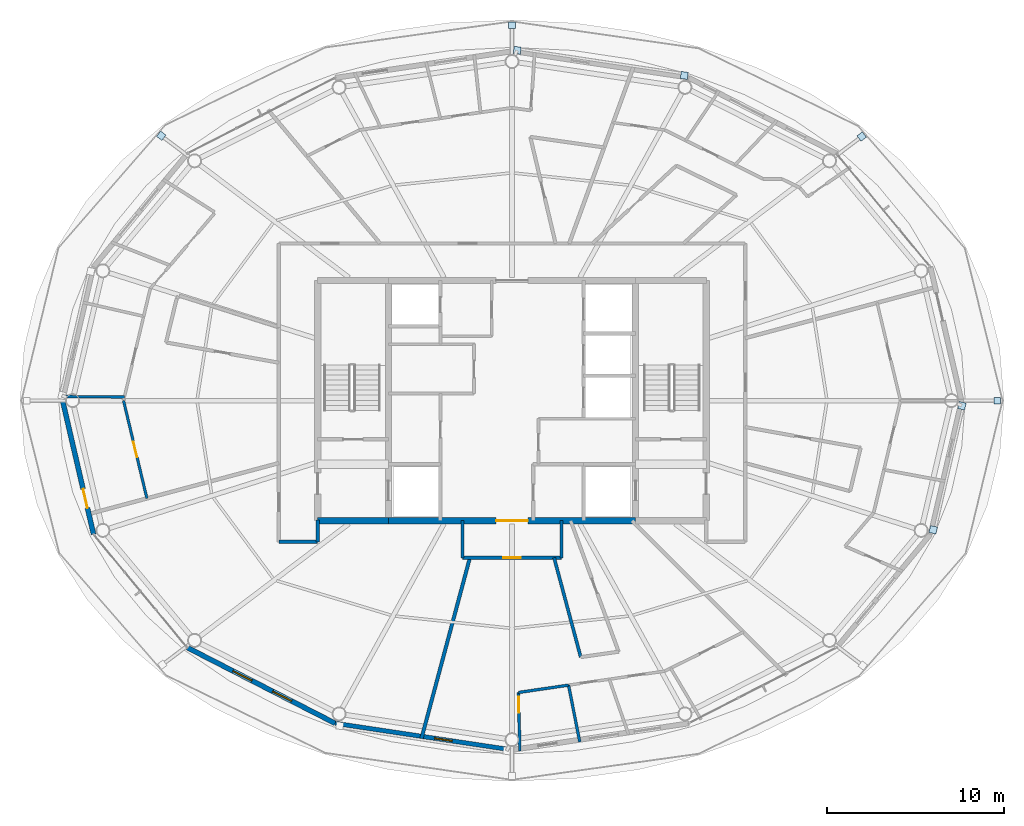
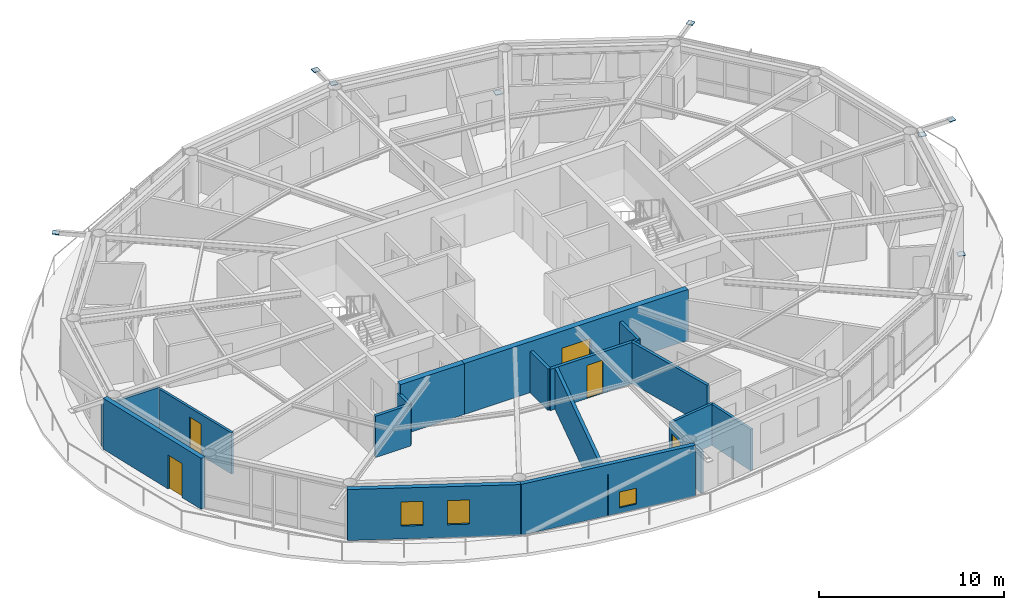
# One storey, part 15 of 23: 17 walls, 8 plates, 5 doors, 3 windows, 8 openings.
"""IFC4 building model written with IfcOpenShell, lengths in metres."""

from ifc_helpers import new_model, si_unit, direction, frame, frame_2d, origin, origin_2d, place, context, subcontext, project, spatial, rectangle, extrude, material, layer, layer_set, type_object, element, fill, save


model = new_model("IFC4")

# Units and contexts
model_context = context("Model", 3, precision=1e-05, world=origin(), true_north=direction((0.0, 1.0)))
body_context = subcontext(model_context, "Body", "Model", "MODEL_VIEW")
ifc_project = project(units=[si_unit("LENGTHUNIT", "METRE"), si_unit("AREAUNIT", "SQUARE_METRE"), si_unit("VOLUMEUNIT", "CUBIC_METRE"), si_unit("PLANEANGLEUNIT", "RADIAN"), si_unit("MASSUNIT", "GRAM", prefix="KILO")], contexts=[model_context])

# Site, building, storey
site_placement = place(None, origin())
site = spatial("IfcSite", under=ifc_project, at=site_placement, CompositionType="ELEMENT")
building_placement = place(site_placement, origin())
building = spatial("IfcBuilding", under=site, at=building_placement, Name="Sarneth Arch Tower", CompositionType="ELEMENT")
storey_placement = place(building_placement, frame((0.0, 0.0, 265.800048828125)))
storey = spatial("IfcBuildingStorey", under=building, at=storey_placement, Name="L68", CompositionType="ELEMENT", Elevation=265.800048828125)

# Plates
ifc_material_1 = material(Name="Steel S355", Category="steel")
ifc_layer_1 = layer(ifc_material_1, 0.035888671875)
ifc_layer_set_1 = layer_set([ifc_layer_1], Name="Steel S355")
plate_type = type_object("IfcPlateType", Name="PLT-GUSSET-30", PredefinedType="SHEET", material=ifc_layer_set_1)
for number, where, z_axis, x_axis, name in (
    (1, (75.48046875, 42.0, 3.19189453125), (0.0, 0.0, 1.0), (1.0, 0.0, 0.0), "Steel end cap plate GP-1"),
    (2, (67.800048828125, 56.95458984375, 3.19189453125), (0.0, 0.0, 1.0), (0.798004853043, 0.602651022168, 0.0), "Steel end cap plate GP-1"),
):
    element("IfcPlate", number, at=place(storey_placement, frame(where, z_axis=z_axis, x_axis=x_axis)), inside=storey, type_object=plate_type, Name=name, PredefinedType="SHEET", context=body_context, shape_type="SweptSolid", body=[
        extrude(rectangle(XDim=0.3798828125, YDim=0.3798828125, at=origin_2d()), origin(), (0.0, 0.0, 1.0), 0.035888671875),
    ])
for number, where, z_axis, x_axis, name in (
    (3, (57.754150390625, 60.411376953125, 0.001953125), (0.0, 0.0, 1.0), (-0.988860535448, 0.148845024885, 0.0), "Steel end cap plate GP-1"),
    (4, (48.296630859375, 61.83544921875, 3.07421875), (0.0, 0.0, 1.0), (-0.988860535448, 0.148845024885, 0.0), "Steel end cap plate GP-1"),
):
    element("IfcPlate", number, at=place(storey_placement, frame(where, z_axis=z_axis, x_axis=x_axis)), inside=storey, type_object=plate_type, Name=name, PredefinedType="SHEET", context=body_context, shape_type="SweptSolid", body=[
        extrude(rectangle(XDim=0.404052734375, YDim=0.404052734375, at=origin_2d()), origin(), (0.0, 0.0, 1.0), 0.035888671875),
    ])
for number, where, z_axis, x_axis, name in (
    (5, (48.0, 63.252685546875, 3.19189453125), (0.0, 0.0, 1.0), (0.0, 1.0, 0.0), "Steel end cap plate GP-1"),
    (6, (28.138916015625, 57.000732421875, 3.19189453125), (0.0, 0.0, 1.0), (-0.798004853043, 0.602651022168, 0.0), "Steel end cap plate GP-1"),
):
    element("IfcPlate", number, at=place(storey_placement, frame(where, z_axis=z_axis, x_axis=x_axis)), inside=storey, type_object=plate_type, Name=name, PredefinedType="SHEET", context=body_context, shape_type="SweptSolid", body=[
        extrude(rectangle(XDim=0.3798828125, YDim=0.3798828125, at=origin_2d()), origin(), (0.0, 0.0, 1.0), 0.035888671875),
    ])
for number, where, z_axis, x_axis, name in (
    (7, (71.851806640625, 34.6845703125, 0.001953125), (0.0, 0.0, 1.0), (0.225461202458, 0.974252147129, 0.0), "Steel end cap plate GP-1"),
    (8, (73.4765625, 41.707763671875, 3.07421875), (0.0, 0.0, 1.0), (0.225461202458, 0.974252147129, 0.0), "Steel end cap plate GP-1"),
):
    element("IfcPlate", number, at=place(storey_placement, frame(where, z_axis=z_axis, x_axis=x_axis)), inside=storey, type_object=plate_type, Name=name, PredefinedType="SHEET", context=body_context, shape_type="SweptSolid", body=[
        extrude(rectangle(XDim=0.404052734375, YDim=0.404052734375, at=origin_2d()), origin(), (0.0, 0.0, 1.0), 0.035888671875),
    ])

# Wall
ifc_material_2 = material(Name="Concrete C50/60", Category="concrete")
ifc_layer_2 = layer(ifc_material_2, 0.35009765625)
ifc_layer_set_2 = layer_set([ifc_layer_2], Name="Concrete C50/60")
wall_type_1 = type_object("IfcWallType", Name="WALL-CORE-350", PredefinedType="SHEAR", material=ifc_layer_set_2)
wall_1_placement = place(storey_placement, frame((37.0, 35.199951171875, 0.0), z_axis=(0.0, 0.0, 1.0), x_axis=(1.0, 0.0, 0.0)))
element("IfcWall", 9, at=wall_1_placement, inside=storey, type_object=wall_type_1, Name="L68 Core shear wall S-W", PredefinedType="SHEAR", context=body_context, shape_type="SweptSolid", body=[
    extrude(rectangle(XDim=4.0, YDim=0.35009765625, at=frame_2d((2.0, 0.0))), origin(), (0.0, 0.0, 1.0), 3.369873046875),
])

# Wall, opening, door
wall_2_placement = place(storey_placement, frame((41.0, 35.199951171875, 0.0), z_axis=(0.0, 0.0, 1.0), x_axis=(1.0, 0.0, 0.0)))
wall_2 = element("IfcWall", 10, at=wall_2_placement, inside=storey, type_object=wall_type_1, Name="L68 Core shear wall S-M", PredefinedType="SHEAR", context=body_context, shape_type="SweptSolid", body=[
    extrude(rectangle(XDim=14.0, YDim=0.35009765625, at=frame_2d((7.0, 0.0))), origin(), (0.0, 0.0, 1.0), 3.369873046875),
])
opening_1_placement = place(wall_2_placement, frame((6.10009765625, 0.0, 0.0)))
opening_1 = element("IfcOpeningElement", 11, at=opening_1_placement, cuts=wall_2, Name="Opening FD-01", PredefinedType="OPENING", context=body_context, shape_type="SweptSolid", body=[
    extrude(rectangle(XDim=1.800048828125, YDim=2.25, at=frame_2d((0.89990234375, 1.125))), frame((0.0, 0.18505859375, 0.0), z_axis=(0.0, -1.0, 0.0), x_axis=(1.0, 0.0, 0.0)), (0.0, 0.0, 1.0), 0.3701171875),
])
ifc_material_3 = material(Name="Galvanised Steel S275 fire door set", Category="steel")
door_type_1 = type_object("IfcDoorType", Name="DR-FD90-1800", OperationType="DOUBLE_DOOR_SINGLE_SWING", PredefinedType="DOOR", material=ifc_material_3)
door_1_placement = place(opening_1_placement, origin())
door_1 = element("IfcDoor", 12, at=door_1_placement, inside=storey, type_object=door_type_1, Name="L68 Central lift lobby south door", OperationType="DOUBLE_DOOR_SINGLE_SWING", OverallHeight=2.25, OverallWidth=1.800048828125, PredefinedType="DOOR", context=body_context, shape_type="SweptSolid", body=[
    extrude(rectangle(XDim=1.800048828125, YDim=2.25, at=frame_2d((0.89990234375, 1.125))), frame((0.0, 0.02490234375, 0.0), z_axis=(0.0, -1.0, 0.0), x_axis=(1.0, 0.0, 0.0)), (0.0, 0.0, 1.0), 0.050048828125),
])
fill(opening_1, door_1)

ifc_material_4 = material(Name="Double steel-stud corridor fire wall", Category="steel")
ifc_layer_3 = layer(ifc_material_4, 0.18994140625)
ifc_layer_set_3 = layer_set([ifc_layer_3], Name="Double steel-stud corridor fire wall")
wall_type_2 = type_object("IfcWallType", Name="WALL-CORR-190", PredefinedType="PARTITIONING", material=ifc_layer_set_3)
wall_3_placement = place(storey_placement, frame((50.800048828125, 33.10009765625, 0.0), z_axis=(0.0, 0.0, 1.0), x_axis=(-1.0, 0.0, 0.0)))
wall_3 = element("IfcWall", 13, at=wall_3_placement, inside=storey, type_object=wall_type_2, Name="L68 Interior partition W-L68-TP-021", PredefinedType="PARTITIONING", context=body_context, shape_type="SweptSolid", body=[
    extrude(rectangle(XDim=5.60009765625, YDim=0.18994140625, at=frame_2d((2.800048828125, 0.0))), origin(), (0.0, 0.0, 1.0), 2.72998046875),
])
opening_2_placement = place(wall_3_placement, frame((2.300048828125, 0.0, 0.0)))
opening_2 = element("IfcOpeningElement", 14, at=opening_2_placement, cuts=wall_3, Name="Opening FD-08", PredefinedType="OPENING", context=body_context, shape_type="SweptSolid", body=[
    extrude(rectangle(XDim=1.0, YDim=2.199951171875, at=frame_2d((0.5, 1.10009765625))), frame((0.0, 0.10498046875, 0.0), z_axis=(0.0, -1.0, 0.0), x_axis=(1.0, 0.0, 0.0)), (0.0, 0.0, 1.0), 0.2099609375),
])
ifc_material_5 = material(Name="Hardwood timber acoustic fire door", Category="wood")
door_type_2 = type_object("IfcDoorType", Name="DR-FD60-1000", OperationType="SINGLE_SWING_LEFT", PredefinedType="DOOR", material=ifc_material_5)
door_2_placement = place(opening_2_placement, origin())
door_2 = element("IfcDoor", 15, at=door_2_placement, inside=storey, type_object=door_type_2, Name="L68 Interior door DR-L68-U5-ENT", OperationType="SINGLE_SWING_LEFT", OverallHeight=2.199951171875, OverallWidth=1.0, PredefinedType="DOOR", context=body_context, shape_type="SweptSolid", body=[
    extrude(rectangle(XDim=1.0, YDim=2.199951171875, at=frame_2d((0.5, 1.10009765625))), frame((0.0, 0.02490234375, 0.0), z_axis=(0.0, -1.0, 0.0), x_axis=(1.0, 0.0, 0.0)), (0.0, 0.0, 1.0), 0.050048828125),
])
fill(opening_2, door_2)

# Walls
wall_4_placement = place(storey_placement, frame((37.0, 34.0, 0.0), z_axis=(0.0, 0.0, 1.0), x_axis=(-1.0, 0.0, 0.0)))
element("IfcWall", 16, at=wall_4_placement, inside=storey, type_object=wall_type_2, Name="L68 Interior partition W-L68-TP-012", PredefinedType="PARTITIONING", context=body_context, shape_type="SweptSolid", body=[
    extrude(rectangle(XDim=2.199951171875, YDim=0.18994140625, at=frame_2d((1.10009765625, 0.0))), origin(), (0.0, 0.0, 1.0), 2.72998046875),
])
wall_5_placement = place(storey_placement, frame((45.199951171875, 35.199951171875, 0.0), z_axis=(0.0, 0.0, 1.0), x_axis=(0.0, -1.0, 0.0)))
element("IfcWall", 17, at=wall_5_placement, inside=storey, type_object=wall_type_2, Name="L68 Interior partition W-L68-TP-019", PredefinedType="PARTITIONING", context=body_context, shape_type="SweptSolid", body=[
    extrude(rectangle(XDim=2.099853515625, YDim=0.18994140625, at=frame_2d((1.0498046875, 0.0))), origin(), (0.0, 0.0, 1.0), 2.72998046875),
])
wall_6_placement = place(storey_placement, frame((37.0, 35.23193359375, 0.0), z_axis=(0.0, 0.0, 1.0), x_axis=(0.0, -1.0, 0.0)))
element("IfcWall", 18, at=wall_6_placement, inside=storey, type_object=wall_type_2, Name="L68 Interior partition W-L68-TP-011", PredefinedType="PARTITIONING", context=body_context, shape_type="SweptSolid", body=[
    extrude(rectangle(XDim=1.23193359375, YDim=0.18994140625, at=frame_2d((0.615966796875, 0.0))), origin(), (0.0, 0.0, 1.0), 2.72998046875),
])

# Wall, opening, window
ifc_material_6 = material(Name="Extruded terracotta rainscreen on Concrete C40/50 backing", Category="masonry")
ifc_layer_4 = layer(ifc_material_6, 0.25)
ifc_layer_set_4 = layer_set([ifc_layer_4], Name="Extruded terracotta rainscreen on Concrete C40/50 backing")
wall_type_3 = type_object("IfcWallType", Name="WALL-EXT-SPAND-250", PredefinedType="SOLIDWALL", material=ifc_layer_set_4)
wall_7_placement = place(storey_placement, frame((37.9873046875, 23.7255859375, 0.0), z_axis=(0.0, 0.0, 1.0), x_axis=(0.988882522213, -0.148698881169, 0.0)))
wall_7 = element("IfcWall", 19, at=wall_7_placement, inside=storey, type_object=wall_type_3, Name="L68 Terracotta perimeter wall 12", PredefinedType="SOLIDWALL", context=body_context, shape_type="SweptSolid", body=[
    extrude(rectangle(XDim=10.125244140625, YDim=0.25, at=frame_2d((5.0625, 0.0))), origin(), (0.0, 0.0, 1.0), 3.369873046875),
])
opening_3_placement = place(wall_7_placement, frame((5.69189453125, 0.0, 0.35009765625)))
opening_3 = element("IfcOpeningElement", 20, at=opening_3_placement, cuts=wall_7, Name="Opening W-14", PredefinedType="OPENING", context=body_context, shape_type="SweptSolid", body=[
    extrude(rectangle(XDim=1.0, YDim=1.050048828125, at=frame_2d((0.5, 0.52490234375))), frame((0.0, 0.135009765625, 0.0), z_axis=(0.0, -1.0, 0.0), x_axis=(1.0, 0.0, 0.0)), (0.0, 0.0, 1.0), 0.27001953125),
])
ifc_material_7 = material(Name="Thermally broken Aluminium 6063-T6 and low-e laminated IGU", Category="aluminium")
window_type_1 = type_object("IfcWindowType", Name="WIN-TWR-1000x1050", PartitioningType="SINGLE_PANEL", PredefinedType="WINDOW", material=ifc_material_7)
window_1_placement = place(opening_3_placement, origin())
window_1 = element("IfcWindow", 21, at=window_1_placement, inside=storey, type_object=window_type_1, Name="L68 Dwelling bedroom window 04", OverallHeight=1.050048828125, OverallWidth=1.0, PartitioningType="SINGLE_PANEL", PredefinedType="WINDOW", context=body_context, shape_type="SweptSolid", body=[
    extrude(rectangle(XDim=1.0, YDim=1.050048828125, at=frame_2d((0.5, 0.52490234375))), frame((0.0, 0.030029296875, 0.0), z_axis=(0.0, -1.0, 0.0), x_axis=(1.0, 0.0, 0.0)), (0.0, 0.0, 1.0), 0.06005859375),
])
fill(opening_3, window_1)

# Wall, opening, door
ifc_material_8 = material(Name="Extruded terracotta rainscreen on Concrete C40/50 backing", Category="masonry")
ifc_layer_5 = layer(ifc_material_8, 0.280029296875)
ifc_layer_set_5 = layer_set([ifc_layer_5], Name="Extruded terracotta rainscreen on Concrete C40/50 backing")
wall_type_4 = type_object("IfcWallType", Name="WALL-EXT-TERRA-280", PredefinedType="SOLIDWALL", material=ifc_layer_set_5)
wall_8_placement = place(storey_placement, frame((22.552978515625, 42.0, 0.0), z_axis=(0.0, 0.0, 1.0), x_axis=(0.225635078214, -0.974211892495, 0.0)))
wall_8 = element("IfcWall", 22, at=wall_8_placement, inside=storey, type_object=wall_type_4, Name="L68 Terracotta perimeter wall 09", PredefinedType="SOLIDWALL", context=body_context, shape_type="SweptSolid", body=[
    extrude(rectangle(XDim=7.77001953125, YDim=0.280029296875, at=frame_2d((3.885009765625, 0.0))), origin(), (0.0, 0.0, 1.0), 3.369873046875),
])
opening_4_placement = place(wall_8_placement, frame((5.14208984375, 0.0, 0.0)))
opening_4 = element("IfcOpeningElement", 23, at=opening_4_placement, cuts=wall_8, Name="Opening BD-3", PredefinedType="OPENING", context=body_context, shape_type="SweptSolid", body=[
    extrude(rectangle(XDim=1.10009765625, YDim=2.25, at=frame_2d((0.550048828125, 1.125))), frame((0.0, 0.14990234375, 0.0), z_axis=(0.0, -1.0, 0.0), x_axis=(1.0, 0.0, 0.0)), (0.0, 0.0, 1.0), 0.300048828125),
])
ifc_material_9 = material(Name="Thermally broken Aluminium 6063-T6 and laminated safety glass", Category="aluminium")
door_type_3 = type_object("IfcDoorType", Name="DR-BALC-GLZ-1100", OperationType="SINGLE_SWING_LEFT", PredefinedType="DOOR", material=ifc_material_9)
door_3_placement = place(opening_4_placement, origin())
door_3 = element("IfcDoor", 24, at=door_3_placement, inside=storey, type_object=door_type_3, Name="L68 Balcony glazed door 09", OperationType="SINGLE_SWING_LEFT", OverallHeight=2.25, OverallWidth=1.10009765625, PredefinedType="DOOR", context=body_context, shape_type="SweptSolid", body=[
    extrude(rectangle(XDim=1.10009765625, YDim=2.25, at=frame_2d((0.550048828125, 1.125))), frame((0.0, 0.02490234375, 0.0), z_axis=(0.0, -1.0, 0.0), x_axis=(1.0, 0.0, 0.0)), (0.0, 0.0, 1.0), 0.050048828125),
])
fill(opening_4, door_3)

# Wall, openings, windows
wall_9_placement = place(storey_placement, frame((29.617431640625, 28.013427734375, 0.0), z_axis=(0.0, 0.0, 1.0), x_axis=(0.890007394051, -0.455946091699, 0.0)))
wall_9 = element("IfcWall", 25, at=wall_9_placement, inside=storey, type_object=wall_type_4, Name="L68 Terracotta perimeter wall 11", PredefinedType="SOLIDWALL", context=body_context, shape_type="SweptSolid", body=[
    extrude(rectangle(XDim=9.404296875, YDim=0.280029296875, at=frame_2d((4.7021484375, 0.0))), origin(), (0.0, 0.0, 1.0), 3.369873046875),
])
opening_5_placement = place(wall_9_placement, frame((2.90283203125, 0.0, 0.85009765625)))
opening_5 = element("IfcOpeningElement", 26, at=opening_5_placement, cuts=wall_9, Name="Opening W-10", PredefinedType="OPENING", context=body_context, shape_type="SweptSolid", body=[
    extrude(rectangle(XDim=1.199951171875, YDim=1.60009765625, at=frame_2d((0.60009765625, 0.800048828125))), frame((0.0, 0.14990234375, 0.0), z_axis=(0.0, -1.0, 0.0), x_axis=(1.0, 0.0, 0.0)), (0.0, 0.0, 1.0), 0.300048828125),
])
opening_6_placement = place(wall_9_placement, frame((5.429931640625, 0.0, 0.85009765625)))
opening_6 = element("IfcOpeningElement", 27, at=opening_6_placement, cuts=wall_9, Name="Opening W-10", PredefinedType="OPENING", context=body_context, shape_type="SweptSolid", body=[
    extrude(rectangle(XDim=1.199951171875, YDim=1.60009765625, at=frame_2d((0.60009765625, 0.800048828125))), frame((0.0, 0.14990234375, 0.0), z_axis=(0.0, -1.0, 0.0), x_axis=(1.0, 0.0, 0.0)), (0.0, 0.0, 1.0), 0.300048828125),
])
ifc_material_10 = material(Name="Thermally broken Aluminium 6063-T6 and low-e laminated IGU", Category="aluminium")
window_type_2 = type_object("IfcWindowType", Name="WIN-TWR-1200x1600", PartitioningType="SINGLE_PANEL", PredefinedType="WINDOW", material=ifc_material_10)
window_2_placement = place(opening_5_placement, origin())
window_2 = element("IfcWindow", 28, at=window_2_placement, inside=storey, type_object=window_type_2, Name="L68 Exterior window 11A", OverallHeight=1.60009765625, OverallWidth=1.199951171875, PartitioningType="SINGLE_PANEL", PredefinedType="WINDOW", context=body_context, shape_type="SweptSolid", body=[
    extrude(rectangle(XDim=1.199951171875, YDim=1.60009765625, at=frame_2d((0.60009765625, 0.800048828125))), frame((0.0, 0.030029296875, 0.0), z_axis=(0.0, -1.0, 0.0), x_axis=(1.0, 0.0, 0.0)), (0.0, 0.0, 1.0), 0.06005859375),
])
fill(opening_5, window_2)
window_3_placement = place(opening_6_placement, origin())
window_3 = element("IfcWindow", 29, at=window_3_placement, inside=storey, type_object=window_type_2, Name="L68 Exterior window 11B", OverallHeight=1.60009765625, OverallWidth=1.199951171875, PartitioningType="SINGLE_PANEL", PredefinedType="WINDOW", context=body_context, shape_type="SweptSolid", body=[
    extrude(rectangle(XDim=1.199951171875, YDim=1.60009765625, at=frame_2d((0.60009765625, 0.800048828125))), frame((0.0, 0.030029296875, 0.0), z_axis=(0.0, -1.0, 0.0), x_axis=(1.0, 0.0, 0.0)), (0.0, 0.0, 1.0), 0.06005859375),
])
fill(opening_6, window_3)

# Wall, opening, door
ifc_material_11 = material(Name="Acoustic gypsum stud partition", Category="gypsum")
ifc_layer_6 = layer(ifc_material_11, 0.14990234375)
ifc_layer_set_6 = layer_set([ifc_layer_6], Name="Acoustic gypsum stud partition")
wall_type_5 = type_object("IfcWallType", Name="WALL-PART-150", PredefinedType="PARTITIONING", material=ifc_layer_set_6)
wall_10_placement = place(storey_placement, frame((26.003662109375, 42.0, 0.0), z_axis=(0.0, 0.0, 1.0), x_axis=(0.232304342064, -0.972643147644, 0.0)))
wall_10 = element("IfcWall", 30, at=wall_10_placement, inside=storey, type_object=wall_type_5, Name="L68 Interior partition W-L68-TP-066", PredefinedType="PARTITIONING", context=body_context, shape_type="SweptSolid", body=[
    extrude(rectangle(XDim=5.695068359375, YDim=0.14990234375, at=frame_2d((2.84765625, 0.0))), origin(), (0.0, 0.0, 1.0), 2.72998046875),
])
opening_7_placement = place(wall_10_placement, frame((2.397705078125, 0.0, 0.0)))
opening_7 = element("IfcOpeningElement", 31, at=opening_7_placement, cuts=wall_10, Name="Opening ID-01", PredefinedType="OPENING", context=body_context, shape_type="SweptSolid", body=[
    extrude(rectangle(XDim=0.89990234375, YDim=2.10009765625, at=frame_2d((0.449951171875, 1.050048828125))), frame((0.0, 0.0849609375, 0.0), z_axis=(0.0, -1.0, 0.0), x_axis=(1.0, 0.0, 0.0)), (0.0, 0.0, 1.0), 0.169921875),
])
ifc_material_12 = material(Name="Engineered hardwood flush door", Category="wood")
door_type_4 = type_object("IfcDoorType", Name="DR-INT-900", OperationType="SINGLE_SWING_LEFT", PredefinedType="DOOR", material=ifc_material_12)
door_4_placement = place(opening_7_placement, origin())
door_4 = element("IfcDoor", 32, at=door_4_placement, inside=storey, type_object=door_type_4, Name="L68 Interior door DR-L68-U3-BED2", OperationType="SINGLE_SWING_LEFT", OverallHeight=2.10009765625, OverallWidth=0.89990234375, PredefinedType="DOOR", context=body_context, shape_type="SweptSolid", body=[
    extrude(rectangle(XDim=0.89990234375, YDim=2.10009765625, at=frame_2d((0.449951171875, 1.050048828125))), frame((0.0, 0.02490234375, 0.0), z_axis=(0.0, -1.0, 0.0), x_axis=(1.0, 0.0, 0.0)), (0.0, 0.0, 1.0), 0.050048828125),
])
fill(opening_7, door_4)

# Wall
wall_11_placement = place(storey_placement, frame((22.487060546875, 42.234375, 0.0), z_axis=(0.0, 0.0, 1.0), x_axis=(0.999957889833, -0.009177067135, 0.0)))
element("IfcWall", 33, at=wall_11_placement, inside=storey, type_object=wall_type_5, Name="L68 Interior partition W-L68-TP-070", PredefinedType="PARTITIONING", context=body_context, shape_type="SweptSolid", body=[
    extrude(rectangle(XDim=3.56494140625, YDim=0.14990234375, at=frame_2d((1.782470703125, 0.0))), origin(), (0.0, 0.0, 1.0), 2.72998046875),
])

# Wall, opening, door
ifc_material_13 = material(Name="Kitchen wet service chase wall", Category="gypsum")
ifc_layer_7 = layer(ifc_material_13, 0.159912109375)
ifc_layer_set_7 = layer_set([ifc_layer_7], Name="Kitchen wet service chase wall")
wall_type_6 = type_object("IfcWallType", Name="WALL-PLUMB-160", PredefinedType="PLUMBINGWALL", material=ifc_layer_set_7)
wall_12_placement = place(storey_placement, frame((48.441650390625, 22.166015625, 0.0), z_axis=(0.0, 0.0, 1.0), x_axis=(-0.022285576985, 0.999751645689, 0.0)))
wall_12 = element("IfcWall", 34, at=wall_12_placement, inside=storey, type_object=wall_type_6, Name="L68 Interior partition W-L68-TP-073", PredefinedType="PLUMBINGWALL", context=body_context, shape_type="SweptSolid", body=[
    extrude(rectangle(XDim=3.308349609375, YDim=0.159912109375, at=frame_2d((1.654296875, 0.0))), origin(), (0.0, 0.0, 1.0), 2.72998046875),
])
opening_8_placement = place(wall_12_placement, frame((2.164306640625, 0.0, 0.0)))
opening_8 = element("IfcOpeningElement", 35, at=opening_8_placement, cuts=wall_12, Name="Opening ID-01", PredefinedType="OPENING", context=body_context, shape_type="SweptSolid", body=[
    extrude(rectangle(XDim=0.89990234375, YDim=2.10009765625, at=frame_2d((0.449951171875, 1.050048828125))), frame((0.0, 0.08984375, 0.0), z_axis=(0.0, -1.0, 0.0), x_axis=(1.0, 0.0, 0.0)), (0.0, 0.0, 1.0), 0.179931640625),
])
door_5_placement = place(opening_8_placement, origin())
door_5 = element("IfcDoor", 36, at=door_5_placement, inside=storey, type_object=door_type_4, Name="L68 Interior door DR-L68-U5-KIT", OperationType="SINGLE_SWING_LEFT", OverallHeight=2.10009765625, OverallWidth=0.89990234375, PredefinedType="DOOR", context=body_context, shape_type="SweptSolid", body=[
    extrude(rectangle(XDim=0.89990234375, YDim=2.10009765625, at=frame_2d((0.449951171875, 1.050048828125))), frame((0.0, 0.02490234375, 0.0), z_axis=(0.0, -1.0, 0.0), x_axis=(1.0, 0.0, 0.0)), (0.0, 0.0, 1.0), 0.050048828125),
])
fill(opening_8, door_5)

# Walls
wall_13_placement = place(storey_placement, frame((51.20068359375, 25.88671875, 0.0), z_axis=(0.0, 0.0, 1.0), x_axis=(0.194810759156, -0.980840847496, 0.0)))
element("IfcWall", 37, at=wall_13_placement, inside=storey, type_object=wall_type_6, Name="L68 Interior partition W-L68-TP-083", PredefinedType="PLUMBINGWALL", context=body_context, shape_type="SweptSolid", body=[
    extrude(rectangle(XDim=3.2734375, YDim=0.159912109375, at=frame_2d((1.63671875, 0.0))), origin(), (0.0, 0.0, 1.0), 2.72998046875),
])
wall_14_placement = place(storey_placement, frame((48.367919921875, 25.4736328125, 0.0), z_axis=(0.0, 0.0, 1.0), x_axis=(0.989534249572, 0.144298194456, 0.0)))
element("IfcWall", 38, at=wall_14_placement, inside=storey, type_object=wall_type_6, Name="L68 Interior partition W-L68-TP-074", PredefinedType="PLUMBINGWALL", context=body_context, shape_type="SweptSolid", body=[
    extrude(rectangle(XDim=2.86279296875, YDim=0.159912109375, at=frame_2d((1.431396484375, 0.0))), origin(), (0.0, 0.0, 1.0), 2.72998046875),
])
ifc_material_14 = material(Name="Moisture-resistant plumbing chase wall", Category="gypsum")
ifc_layer_8 = layer(ifc_material_14, 0.179931640625)
ifc_layer_set_8 = layer_set([ifc_layer_8], Name="Moisture-resistant plumbing chase wall")
wall_type_7 = type_object("IfcWallType", Name="WALL-PLUMB-180", PredefinedType="PLUMBINGWALL", material=ifc_layer_set_8)
wall_15_placement = place(storey_placement, frame((51.8916015625, 27.476806640625, 0.0), z_axis=(0.0, 0.0, 1.0), x_axis=(-0.258831810373, 0.965922405755, 0.0)))
element("IfcWall", 39, at=wall_15_placement, inside=storey, type_object=wall_type_7, Name="L68 Interior partition W-L68-TP-077", PredefinedType="PLUMBINGWALL", context=body_context, shape_type="SweptSolid", body=[
    extrude(rectangle(XDim=5.82177734375, YDim=0.179931640625, at=frame_2d((2.910888671875, 0.0))), origin(), (0.0, 0.0, 1.0), 2.72998046875),
])
wall_16_placement = place(storey_placement, frame((50.800048828125, 35.199951171875, 0.0), z_axis=(0.0, 0.0, 1.0), x_axis=(0.0, -1.0, 0.0)))
element("IfcWall", 40, at=wall_16_placement, inside=storey, type_object=wall_type_7, Name="L68 Interior partition W-L68-TP-022", PredefinedType="PLUMBINGWALL", context=body_context, shape_type="SweptSolid", body=[
    extrude(rectangle(XDim=2.099853515625, YDim=0.179931640625, at=frame_2d((1.0498046875, 0.0))), origin(), (0.0, 0.0, 1.0), 2.72998046875),
])
ifc_material_15 = material(Name="Double steel-stud acoustic drywall", Category="steel")
ifc_layer_9 = layer(ifc_material_15, 0.199951171875)
ifc_layer_set_9 = layer_set([ifc_layer_9], Name="Double steel-stud acoustic drywall")
wall_type_8 = type_object("IfcWallType", Name="WALL-UNIT-200", PredefinedType="PARTITIONING", material=ifc_layer_set_9)
wall_17_placement = place(storey_placement, frame((42.8740234375, 22.8701171875, 0.0), z_axis=(0.0, 0.0, 1.0), x_axis=(0.258827496332, 0.965923561749, 0.0)))
element("IfcWall", 41, at=wall_17_placement, inside=storey, type_object=wall_type_8, Name="L68 Interior partition W-L68-TP-072", PredefinedType="PARTITIONING", context=body_context, shape_type="SweptSolid", body=[
    extrude(rectangle(XDim=10.5908203125, YDim=0.199951171875, at=frame_2d((5.29541015625, 0.0))), origin(), (0.0, 0.0, 1.0), 2.72998046875),
])

save(model, "model.ifc")
